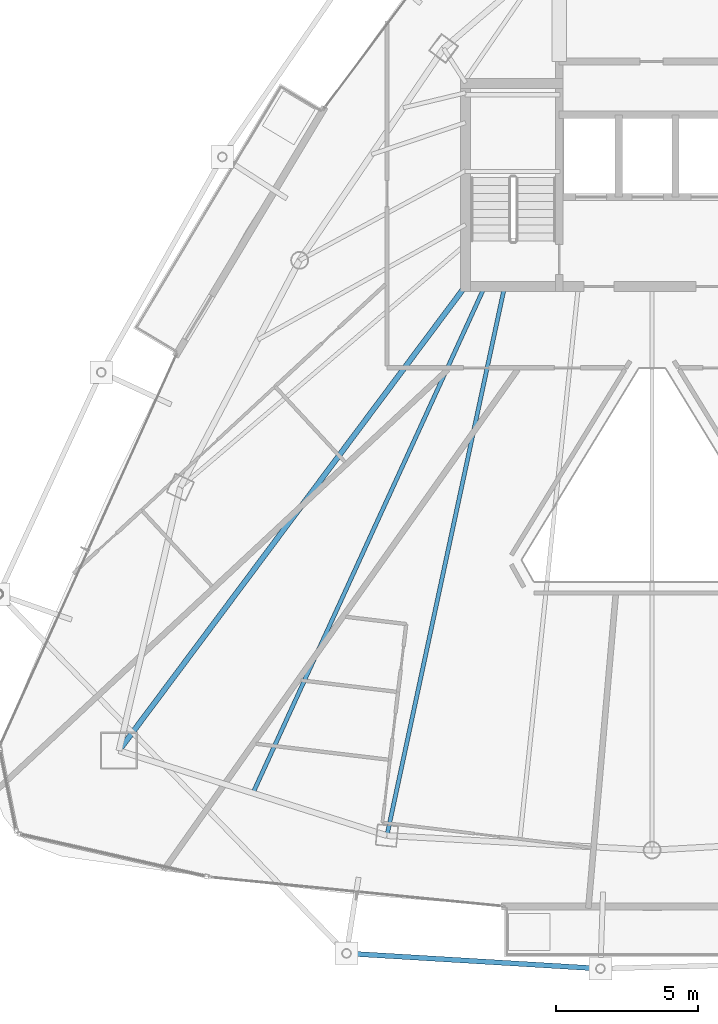
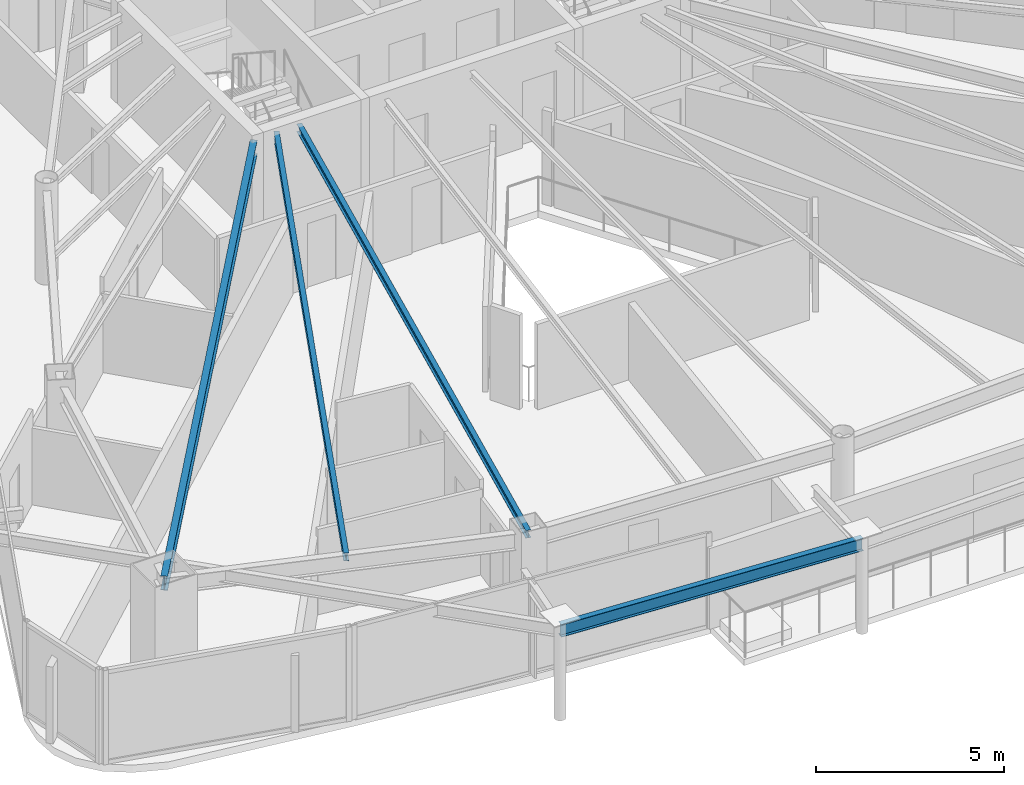
# One storey, part 6 of 32: 4 beams.
"""IFC4 building model written with IfcOpenShell, lengths in metres."""

from ifc_helpers import new_model, si_unit, direction, frame, origin, origin_2d, place, context, subcontext, project, spatial, i_section, extrude, material, material_profile, profile_set, type_object, element, save


model = new_model("IFC4")

# Units and contexts
model_context = context("Model", 3, precision=1e-05, world=origin(), true_north=direction((0.0, 1.0)))
body_context = subcontext(model_context, "Body", "Model", "MODEL_VIEW")
ifc_project = project(units=[si_unit("LENGTHUNIT", "METRE"), si_unit("AREAUNIT", "SQUARE_METRE"), si_unit("VOLUMEUNIT", "CUBIC_METRE"), si_unit("PLANEANGLEUNIT", "RADIAN"), si_unit("MASSUNIT", "GRAM", prefix="KILO")], contexts=[model_context])

# Site, building, storey
site_placement = place(None, origin())
site = spatial("IfcSite", under=ifc_project, at=site_placement, CompositionType="ELEMENT")
building_placement = place(site_placement, origin())
building = spatial("IfcBuilding", under=site, at=building_placement, Name="Orvanel Arch Residences", CompositionType="ELEMENT")
storey_placement = place(building_placement, frame((0.0, 0.0, 222.800048828125)))
storey = spatial("IfcBuildingStorey", under=building, at=storey_placement, Name="L63", CompositionType="ELEMENT", Elevation=222.800048828125)

# Beams
ifc_material = material(Name="Structural steel AS/NZS 3679.1 Grade 300 (300 MPa)", Category="steel")
ifc_material_profile_1 = material_profile(ifc_material, i_section(OverallWidth=0.19091796875, OverallDepth=0.4599609375, WebThickness=0.010009765625, FlangeThickness=0.01611328125, at=origin_2d()), Name="460UB82.1")
ifc_profile_set_1 = profile_set([ifc_material_profile_1], Name="Structural steel AS/NZS 3679.1 Grade 300 (300 MPa)")
beam_type_1 = type_object("IfcBeamType", Name="BG-460UB", PredefinedType="BEAM", material=ifc_profile_set_1)
beam_1_placement = place(storey_placement, frame((26.375, 26.675048828125, 2.829833984375), z_axis=(-0.597893733742, -0.801575375839, 0.0), x_axis=(0.801575375839, -0.597893733742, 0.0)))
element("IfcBeam", 1, at=beam_1_placement, inside=storey, type_object=beam_type_1, Name="L63 South-West Radial Girder", PredefinedType="BEAM", context=body_context, shape_type="SweptSolid", body=[
    extrude(i_section(OverallWidth=0.19091796875, OverallDepth=0.4599609375, WebThickness=0.010009765625, FlangeThickness=0.01611328125, at=origin_2d()), origin(), (0.0, 0.0, 1.0), 20.36474609375),
])
ifc_material_profile_2 = material_profile(ifc_material, i_section(OverallWidth=0.14599609375, OverallDepth=0.251953125, WebThickness=0.006103515625, FlangeThickness=0.008544921875, at=origin_2d()), Name="250UB31.4")
ifc_profile_set_2 = profile_set([ifc_material_profile_2], Name="Structural steel AS/NZS 3679.1 Grade 300 (300 MPa)")
beam_type_2 = type_object("IfcBeamType", Name="BJ-250UB", PredefinedType="JOIST", material=ifc_profile_set_2)
beam_2_placement = place(storey_placement, frame((27.800048828125, 26.72509765625, 2.933837890625), z_axis=(-0.209547604985, -0.977798446125, 0.0), x_axis=(0.977798446125, -0.209547604985, 0.0)))
element("IfcBeam", 2, at=beam_2_placement, inside=storey, type_object=beam_type_2, Name="L63 SW Wing Floor Joist", PredefinedType="JOIST", context=body_context, shape_type="SweptSolid", body=[
    extrude(i_section(OverallWidth=0.14599609375, OverallDepth=0.251953125, WebThickness=0.006103515625, FlangeThickness=0.008544921875, at=origin_2d()), origin(), (0.0, 0.0, 1.0), 19.809814453125),
])
beam_3_placement = place(storey_placement, frame((27.10009765625, 26.72509765625, 2.933837890625), z_axis=(-0.416009574066, -0.909360233508, 0.0), x_axis=(0.909360233508, -0.416009574066, 0.0)))
element("IfcBeam", 3, at=beam_3_placement, inside=storey, type_object=beam_type_2, Name="L63 JADD1 Wing Floor Joist", PredefinedType="JOIST", context=body_context, shape_type="SweptSolid", body=[
    extrude(i_section(OverallWidth=0.14599609375, OverallDepth=0.251953125, WebThickness=0.006103515625, FlangeThickness=0.008544921875, at=origin_2d()), origin(), (0.0, 0.0, 1.0), 19.653564453125),
])
ifc_material_profile_3 = material_profile(ifc_material, i_section(OverallWidth=0.177978515625, OverallDepth=0.406005859375, WebThickness=0.0078125, FlangeThickness=0.0126953125, at=origin_2d()), Name="410UB59.7")
ifc_profile_set_3 = profile_set([ifc_material_profile_3], Name="Structural steel AS/NZS 3679.1 Grade 300 (300 MPa)")
beam_type_3 = type_object("IfcBeamType", Name="OB-410UB-EXT", PredefinedType="SPANDREL", material=ifc_profile_set_3)
beam_4_placement = place(storey_placement, frame((22.22412109375, 3.201904296875, 2.85693359375), z_axis=(0.998200775187, -0.059960090191, 0.0), x_axis=(0.059960090191, 0.998200775187, 0.0)))
element("IfcBeam", 4, at=beam_4_placement, inside=storey, type_object=beam_type_3, Name="L63 Outer Perimeter Floor Ring Beam 05", PredefinedType="SPANDREL", context=body_context, shape_type="SweptSolid", body=[
    extrude(i_section(OverallWidth=0.177978515625, OverallDepth=0.406005859375, WebThickness=0.0078125, FlangeThickness=0.0126953125, at=origin_2d()), origin(), (0.0, 0.0, 1.0), 8.969970703125),
])

save(model, "model.ifc")
